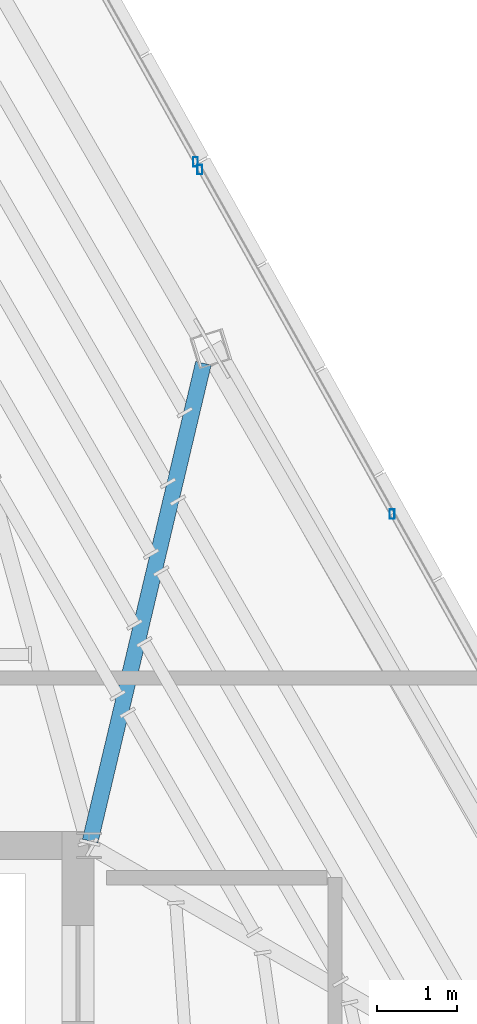
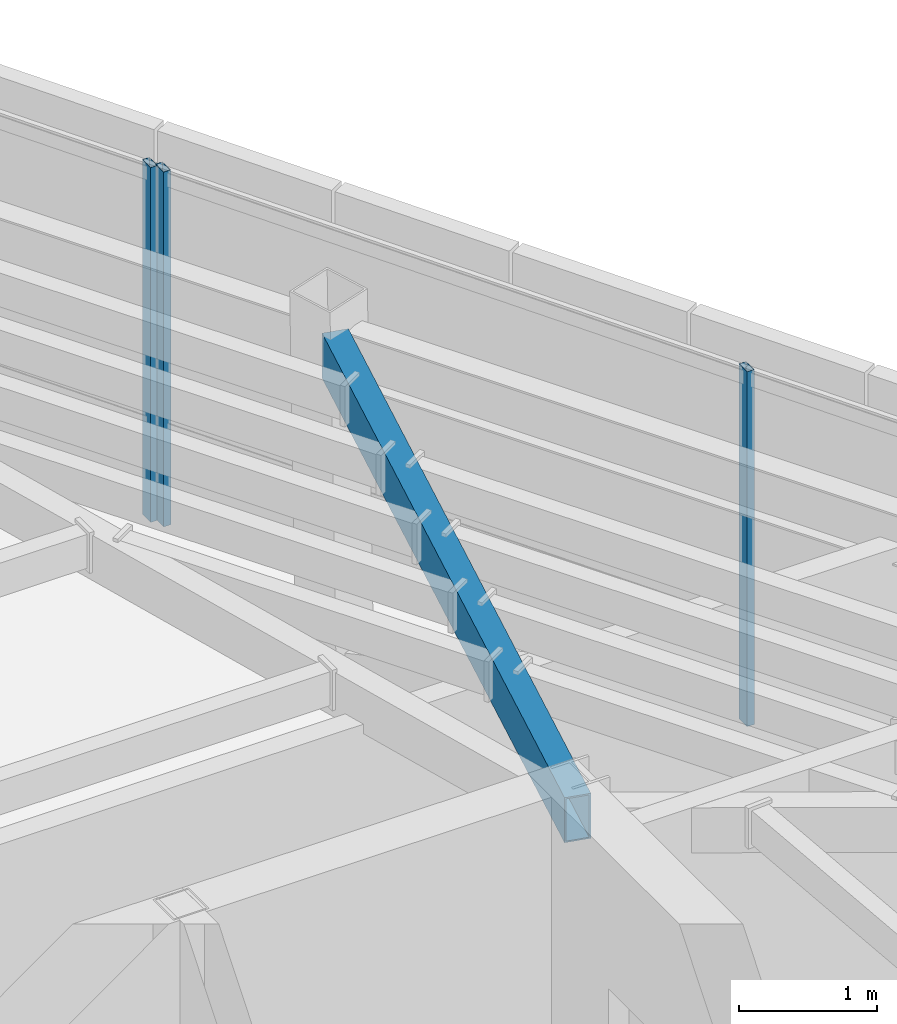
# One storey, part 31 of 47: 3 members, 1 beam, 2 elements without a shape of their own.
"""IFC4 building model written with IfcOpenShell, lengths in metres."""

from ifc_helpers import new_model, si_unit, direction, frame, origin, origin_2d, place, context, subcontext, project, spatial, hollow_rectangle, extrude, source, transform, mapped, material, material_profile, profile_set, type_object, type_shapes, element, aggregate, save


model = new_model("IFC4")

# Units and contexts
model_context = context("Model", 3, precision=1e-05, world=origin(), true_north=direction((0.0, 1.0)))
body_context = subcontext(model_context, "Body", "Model", "MODEL_VIEW")
ifc_project = project(units=[si_unit("LENGTHUNIT", "METRE"), si_unit("AREAUNIT", "SQUARE_METRE"), si_unit("VOLUMEUNIT", "CUBIC_METRE"), si_unit("PLANEANGLEUNIT", "RADIAN"), si_unit("MASSUNIT", "GRAM", prefix="KILO")], contexts=[model_context])

# Site, building, storey
site_placement = place(None, origin())
site = spatial("IfcSite", under=ifc_project, at=site_placement, CompositionType="ELEMENT")
building_placement = place(site_placement, origin())
building = spatial("IfcBuilding", under=site, at=building_placement, Name="Caelisora Broadcast Tower", CompositionType="ELEMENT")
storey_placement = place(building_placement, frame((0.0, 0.0, 293.199951171875)))
storey = spatial("IfcBuildingStorey", under=building, at=storey_placement, Name="L77", CompositionType="ELEMENT", Elevation=293.199951171875)

# Beam
ifc_material_1 = material(Name="Steel Grade 350 (AS/NZS 1163 C350L0)", Category="steel")
ifc_material_profile_1 = material_profile(ifc_material_1, hollow_rectangle(XDim=0.199951171875, YDim=0.39990234375, WallThickness=0.012451171875, at=origin_2d()), Name="Steel Grade 350 (AS/NZS 1163 C350L0)")
ifc_profile_set_1 = profile_set([ifc_material_profile_1], Name="Steel Grade 350 (AS/NZS 1163 C350L0)")
beam_type = type_object("IfcBeamType", Name="PG07", PredefinedType="BEAM", material=ifc_profile_set_1)
shared_shape_1 = source(origin(), body_context, "Body", "SweptSolid", [
    extrude(hollow_rectangle(XDim=0.199951171875, YDim=0.39990234375, WallThickness=0.012451171875, at=origin_2d()), origin(), (0.0, 0.0, 1.0), 6.149658203125),
])
type_shapes(beam_type, [shared_shape_1])
beam_placement = place(storey_placement, frame((45.513916015625, 30.058349609375, 2.949951171875), z_axis=(0.230616746144, 0.973044663106, 0.0), x_axis=(-0.973044663106, 0.230616746144, 0.0)))
element("IfcBeam", 1, at=beam_placement, inside=storey, type_object=beam_type, Name="L77 beam PG07", PredefinedType="BEAM", context=body_context, shape_type="MappedRepresentation", body=[
    mapped(shared_shape_1, transform((0.0, 0.0, 0.0), scale=1.0)),
])

# Curtain wall, member
ifc_material_2 = material(Name="Unitised Aluminium Insulated Shadow-Box Spandrel Curtain Wall", Category="aluminium")
curtain_wall_type = type_object("IfcCurtainWallType", Name="CW-SP3", PredefinedType="NOTDEFINED", material=ifc_material_2)
curtain_wall_1_placement = place(storey_placement, origin())
curtain_wall_1 = element("IfcCurtainWall", 2, at=curtain_wall_1_placement, inside=storey, type_object=curtain_wall_type, Name="L77 curtain wall CW-SP3", PredefinedType="NOTDEFINED")
ifc_material_3 = material(Name="Aluminium 6063-T6 Anodised Terracotta Bronze", Category="aluminium")
ifc_material_profile_2 = material_profile(ifc_material_3, hollow_rectangle(XDim=0.06005859375, YDim=0.1201171875, WallThickness=0.0029296875, at=origin_2d()), Name="Aluminium 6063-T6 Anodised Terracotta Bronze")
ifc_profile_set_2 = profile_set([ifc_material_profile_2], Name="Aluminium 6063-T6 Anodised Terracotta Bronze")
member_type = type_object("IfcMemberType", Name="CWM-04", PredefinedType="MULLION", material=ifc_profile_set_2)
shared_shape_2 = source(origin(), body_context, "Body", "SweptSolid", [
    extrude(hollow_rectangle(XDim=0.06005859375, YDim=0.1201171875, WallThickness=0.0029296875, at=origin_2d()), origin(), (0.0, 0.0, 1.0), 3.150146484375),
])
type_shapes(member_type, [shared_shape_2])
member_1_placement = place(storey_placement, frame((46.833984375, 38.56396484375, 0.0), z_axis=(0.0, 0.0, 1.0), x_axis=(1.0, 0.0, 0.0)))
member_1 = element("IfcMember", 3, at=member_1_placement, type_object=member_type, Name="L77-CW-B01 mullion #3", PredefinedType="MULLION", context=body_context, shape_type="MappedRepresentation", body=[
    mapped(shared_shape_2, transform((0.0, 0.0, 0.0), scale=1.0)),
])
aggregate(curtain_wall_1, [member_1])

# Curtain wall, members
curtain_wall_2_placement = place(storey_placement, origin())
curtain_wall_2 = element("IfcCurtainWall", 4, at=curtain_wall_2_placement, inside=storey, type_object=curtain_wall_type, Name="L77 curtain wall CW-SP3", PredefinedType="NOTDEFINED")
member_2_placement = place(storey_placement, frame((46.887451171875, 38.468017578125, 0.0), z_axis=(0.0, 0.0, 1.0), x_axis=(1.0, 0.0, 0.0)))
member_2 = element("IfcMember", 5, at=member_2_placement, type_object=member_type, Name="L77-CW-B02 mullion #0", PredefinedType="MULLION", context=body_context, shape_type="MappedRepresentation", body=[
    mapped(shared_shape_2, transform((0.0, 0.0, 0.0), scale=1.0)),
])
member_3_placement = place(storey_placement, frame((49.2958984375, 34.1533203125, 0.0), z_axis=(0.0, 0.0, 1.0), x_axis=(1.0, 0.0, 0.0)))
member_3 = element("IfcMember", 6, at=member_3_placement, type_object=member_type, Name="L77-CW-B02 mullion #1", PredefinedType="MULLION", context=body_context, shape_type="MappedRepresentation", body=[
    mapped(shared_shape_2, transform((0.0, 0.0, 0.0), scale=1.0)),
])
aggregate(curtain_wall_2, [member_2, member_3])

save(model, "model.ifc")
